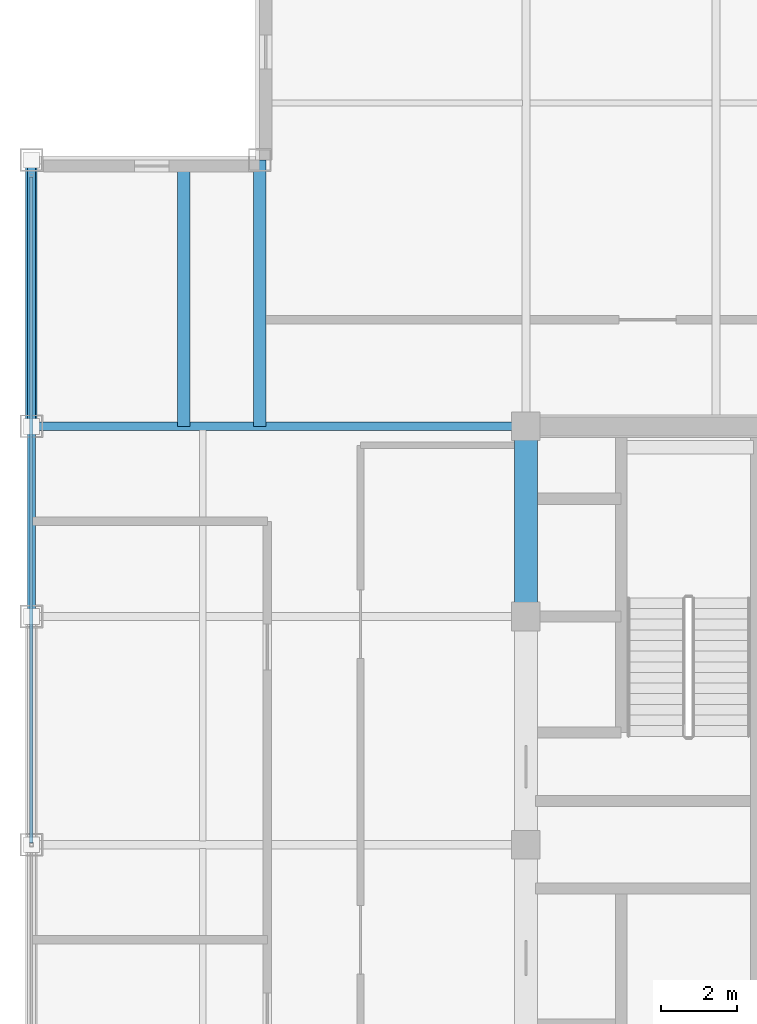
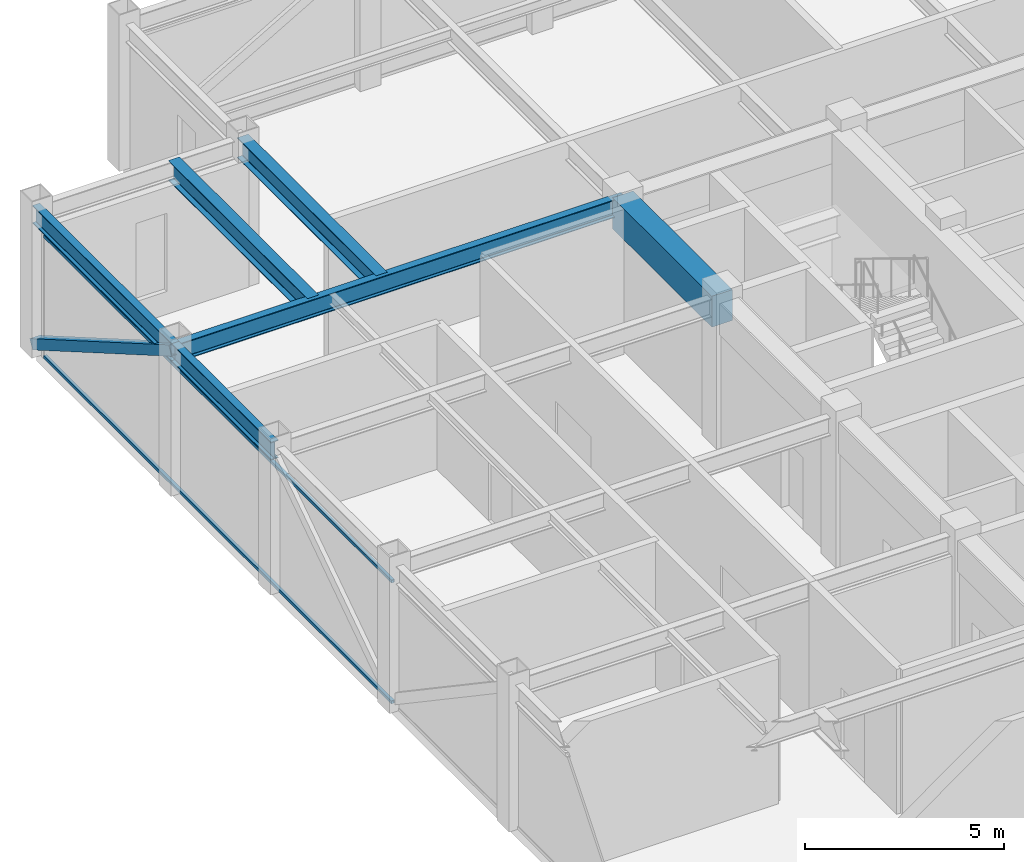
# One storey, part 13 of 27: 6 beams, 3 members, 1 element without a shape of its own.
"""IFC4 building model written with IfcOpenShell, lengths in metres."""

from ifc_helpers import new_model, si_unit, direction, frame, origin, origin_2d, place, context, subcontext, project, spatial, rectangle, hollow_rectangle, i_section, extrude, source, transform, mapped, material, material_profile, profile_set, type_object, element, aggregate, save


model = new_model("IFC4")

# Units and contexts
model_context = context("Model", 3, precision=1e-05, world=origin(), true_north=direction((0.0, 1.0)))
body_context = subcontext(model_context, "Body", "Model", "MODEL_VIEW")
ifc_project = project(units=[si_unit("LENGTHUNIT", "METRE"), si_unit("AREAUNIT", "SQUARE_METRE"), si_unit("VOLUMEUNIT", "CUBIC_METRE"), si_unit("PLANEANGLEUNIT", "RADIAN"), si_unit("MASSUNIT", "GRAM", prefix="KILO")], contexts=[model_context])

# Site, building, storey
site_placement = place(None, origin())
site = spatial("IfcSite", under=ifc_project, at=site_placement, CompositionType="ELEMENT")
building_placement = place(site_placement, origin())
building = spatial("IfcBuilding", under=site, at=building_placement, Name="Khorayat Bourse Tower", CompositionType="ELEMENT")
storey_placement = place(building_placement, frame((0.0, 0.0, 389.89990234375)))
storey = spatial("IfcBuildingStorey", under=building, at=storey_placement, Name="L92", CompositionType="ELEMENT", Elevation=389.89990234375)

# Beams
ifc_material_1 = material(Name="Concrete C60/75", Category="concrete")
ifc_material_profile_1 = material_profile(ifc_material_1, rectangle(XDim=0.60009765625, YDim=0.949951171875, at=origin_2d()), Name="RC 600x950")
ifc_profile_set_1 = profile_set([ifc_material_profile_1], Name="Concrete C60/75")
beam_type_1 = type_object("IfcBeamType", Name="BM-COUP-950", PredefinedType="BEAM", material=ifc_profile_set_1)
shared_shape_1 = source(origin(), body_context, "Body", "SweptSolid", [
    extrude(rectangle(XDim=0.60009765625, YDim=0.949951171875, at=origin_2d()), origin(), (0.0, 0.0, 1.0), 5.0),
])
beam_1_placement = place(storey_placement, frame((-11.0, 6.0, 3.97509765625), z_axis=(0.0, 1.0, 0.0), x_axis=(-1.0, 0.0, 0.0)))
element("IfcBeam", 1, at=beam_1_placement, inside=storey, type_object=beam_type_1, Name="L92 BM-COUP-950 BM-L92-CRX-04", PredefinedType="BEAM", context=body_context, shape_type="MappedRepresentation", body=[
    mapped(shared_shape_1, transform((0.0, 0.0, 0.0), scale=1.0)),
])
ifc_material_2 = material(Name="Steel ASTM A992 Grade 50", Category="steel")
ifc_material_profile_2 = material_profile(ifc_material_2, i_section(OverallWidth=0.214111328125, OverallDepth=0.549072265625, WebThickness=0.0146484375, FlangeThickness=0.023681640625, FilletRadius=0.013916015625, at=origin_2d()), Name="W530X138")
ifc_profile_set_2 = profile_set([ifc_material_profile_2], Name="Steel ASTM A992 Grade 50")
beam_type_2 = type_object("IfcBeamType", Name="BM-SPAN-530", PredefinedType="SPANDREL", material=ifc_profile_set_2)
shared_shape_2 = source(origin(), body_context, "Body", "SweptSolid", [
    extrude(i_section(OverallWidth=0.214111328125, OverallDepth=0.549072265625, WebThickness=0.0146484375, FlangeThickness=0.023681640625, FilletRadius=0.013916015625, at=origin_2d()), origin(), (0.0, 0.0, 1.0), 5.0),
])
beam_2_placement = place(storey_placement, frame((-24.0, 6.0, 4.175537109375), z_axis=(0.0, 1.0, 0.0), x_axis=(-1.0, 0.0, 0.0)))
element("IfcBeam", 2, at=beam_2_placement, inside=storey, type_object=beam_type_2, Name="L92 BM-SPAN-530 BM-L92-SPN-049", PredefinedType="SPANDREL", context=body_context, shape_type="MappedRepresentation", body=[
    mapped(shared_shape_2, transform((0.0, 0.0, 0.0), scale=1.0)),
])
shared_shape_3 = source(origin(), body_context, "Body", "SweptSolid", [
    extrude(i_section(OverallWidth=0.214111328125, OverallDepth=0.549072265625, WebThickness=0.0146484375, FlangeThickness=0.023681640625, FilletRadius=0.013916015625, at=origin_2d()), origin(), (0.0, 0.0, 1.0), 7.0),
])
beam_3_placement = place(storey_placement, frame((-24.0, 11.0, 4.175537109375), z_axis=(0.0, 1.0, 0.0), x_axis=(-1.0, 0.0, 0.0)))
element("IfcBeam", 3, at=beam_3_placement, inside=storey, type_object=beam_type_2, Name="L92 BM-SPAN-530 BM-L92-SPN-048", PredefinedType="SPANDREL", context=body_context, shape_type="MappedRepresentation", body=[
    mapped(shared_shape_3, transform((0.0, 0.0, 0.0), scale=1.0)),
])
ifc_material_profile_3 = material_profile(ifc_material_2, i_section(OverallWidth=0.214111328125, OverallDepth=0.549072265625, WebThickness=0.0146484375, FlangeThickness=0.023681640625, FilletRadius=0.013916015625, at=origin_2d()), Name="W530X138")
ifc_profile_set_3 = profile_set([ifc_material_profile_3], Name="Steel ASTM A992 Grade 50")
beam_type_3 = type_object("IfcBeamType", Name="BM-GIRD-530", PredefinedType="BEAM", material=ifc_profile_set_3)
shared_shape_4 = source(origin(), body_context, "Body", "SweptSolid", [
    extrude(i_section(OverallWidth=0.214111328125, OverallDepth=0.549072265625, WebThickness=0.0146484375, FlangeThickness=0.023681640625, FilletRadius=0.013916015625, at=origin_2d()), origin(), (0.0, 0.0, 1.0), 13.0),
])
beam_4_placement = place(storey_placement, frame((-24.0, 11.0, 4.175537109375), z_axis=(1.0, 0.0, 0.0), x_axis=(0.0, 1.0, 0.0)))
element("IfcBeam", 4, at=beam_4_placement, inside=storey, type_object=beam_type_3, Name="L92 BM-GIRD-530 BM-L92-RADX-075", PredefinedType="BEAM", context=body_context, shape_type="MappedRepresentation", body=[
    mapped(shared_shape_4, transform((0.0, 0.0, 0.0), scale=1.0)),
])
ifc_material_profile_4 = material_profile(ifc_material_2, i_section(OverallWidth=0.324951171875, OverallDepth=0.615966796875, WebThickness=0.013916015625, FlangeThickness=0.021484375, FilletRadius=0.01611328125, at=origin_2d()), Name="W610X174")
ifc_profile_set_4 = profile_set([ifc_material_profile_4], Name="Steel ASTM A992 Grade 50")
beam_type_4 = type_object("IfcBeamType", Name="BM-GIRD-610", PredefinedType="BEAM", material=ifc_profile_set_4)
shared_shape_5 = source(origin(), body_context, "Body", "SweptSolid", [
    extrude(i_section(OverallWidth=0.324951171875, OverallDepth=0.615966796875, WebThickness=0.013916015625, FlangeThickness=0.021484375, FilletRadius=0.01611328125, at=origin_2d()), origin(), (0.0, 0.0, 1.0), 7.0),
])
for number, where, z_axis, x_axis, name in (
    (5, (-18.0, 11.0, 4.14208984375), (0.0, 1.0, 0.0), (-1.0, 0.0, 0.0), "L92 BM-GIRD-610 BM-L92-CNRY-077"),
    (6, (-20.0, 11.0, 4.14208984375), (0.0, 1.0, 0.0), (-1.0, 0.0, 0.0), "L92 BM-GIRD-610 BM-L92-CNRY-081"),
):
    element("IfcBeam", number, at=place(storey_placement, frame(where, z_axis=z_axis, x_axis=x_axis)), inside=storey, type_object=beam_type_4, Name=name, PredefinedType="BEAM", context=body_context, shape_type="MappedRepresentation", body=[
        mapped(shared_shape_5, transform((0.0, 0.0, 0.0), scale=1.0)),
    ])

# Member
ifc_material_3 = material(Name="Steel EN 10025-2 S355J2", Category="steel")
ifc_material_profile_5 = material_profile(ifc_material_3, hollow_rectangle(XDim=0.300048828125, YDim=0.300048828125, WallThickness=0.01611328125, at=origin_2d()), Name="HSS 300x300x16")
ifc_profile_set_5 = profile_set([ifc_material_profile_5], Name="Steel EN 10025-2 S355J2")
member_type_1 = type_object("IfcMemberType", Name="MBR-CROWN-300", PredefinedType="USERDEFINED", material=ifc_profile_set_5)
shared_shape_6 = source(origin(), body_context, "Body", "SweptSolid", [
    extrude(hollow_rectangle(XDim=0.300048828125, YDim=0.300048828125, WallThickness=0.01611328125, at=origin_2d()), origin(), (0.0, 0.0, 1.0), 8.087158203125),
])
member_1_placement = place(storey_placement, frame((-24.0, 11.0, 4.25), z_axis=(0.0, 0.865577817, -0.500774442955), x_axis=(-1.0, 0.0, 0.0)))
element("IfcMember", 7, at=member_1_placement, inside=storey, type_object=member_type_1, Name="L92 Lantern Crown Frame Member 12", ObjectType="CROWN FRAME", PredefinedType="USERDEFINED", context=body_context, shape_type="MappedRepresentation", body=[
    mapped(shared_shape_6, transform((0.0, 0.0, 0.0), scale=1.0)),
])

# Curtain wall, members
ifc_material_4 = material(Name="Aluminium EN AW-6063 T6", Category="aluminium")
curtain_wall_type = type_object("IfcCurtainWallType", Name="CW-SYS-07", PredefinedType="NOTDEFINED", material=ifc_material_4)
curtain_wall_placement = place(storey_placement, origin())
curtain_wall = element("IfcCurtainWall", 8, at=curtain_wall_placement, inside=storey, type_object=curtain_wall_type, Name="L92 Curtain Wall CW-L92-W1", PredefinedType="NOTDEFINED")
ifc_material_profile_6 = material_profile(ifc_material_4, hollow_rectangle(XDim=0.090087890625, YDim=0.090087890625, WallThickness=0.00390625, at=origin_2d()), Name="ALU 90x90x4")
ifc_profile_set_6 = profile_set([ifc_material_profile_6], Name="Aluminium EN AW-6063 T6")
member_type_2 = type_object("IfcMemberType", Name="CWT-HORZ-90", PredefinedType="USERDEFINED", material=ifc_profile_set_6)
shared_shape_7 = source(origin(), body_context, "Body", "SweptSolid", [
    extrude(hollow_rectangle(XDim=0.090087890625, YDim=0.090087890625, WallThickness=0.00390625, at=origin_2d()), origin(), (0.0, 0.0, 1.0), 17.5),
])
member_2_placement = place(storey_placement, frame((-24.0, 0.050048828125, 0.045166015625), z_axis=(0.0, 1.0, 0.0), x_axis=(-1.0, 0.0, 0.0)))
member_2 = element("IfcMember", 9, at=member_2_placement, type_object=member_type_2, Name="CW-L92-W1 Horizontal Transom 2-1", ObjectType="TRANSOM", PredefinedType="USERDEFINED", context=body_context, shape_type="MappedRepresentation", body=[
    mapped(shared_shape_7, transform((0.0, 0.0, 0.0), scale=1.0)),
])
member_3_placement = place(storey_placement, frame((-24.0, 0.050048828125, 3.755126953125), z_axis=(0.0, 1.0, 0.0), x_axis=(-1.0, 0.0, 0.0)))
member_3 = element("IfcMember", 10, at=member_3_placement, type_object=member_type_2, Name="CW-L92-W1 Horizontal Transom 2-2", ObjectType="TRANSOM", PredefinedType="USERDEFINED", context=body_context, shape_type="MappedRepresentation", body=[
    mapped(shared_shape_7, transform((0.0, 0.0, 0.0), scale=1.0)),
])
aggregate(curtain_wall, [member_2, member_3])

save(model, "model.ifc")
